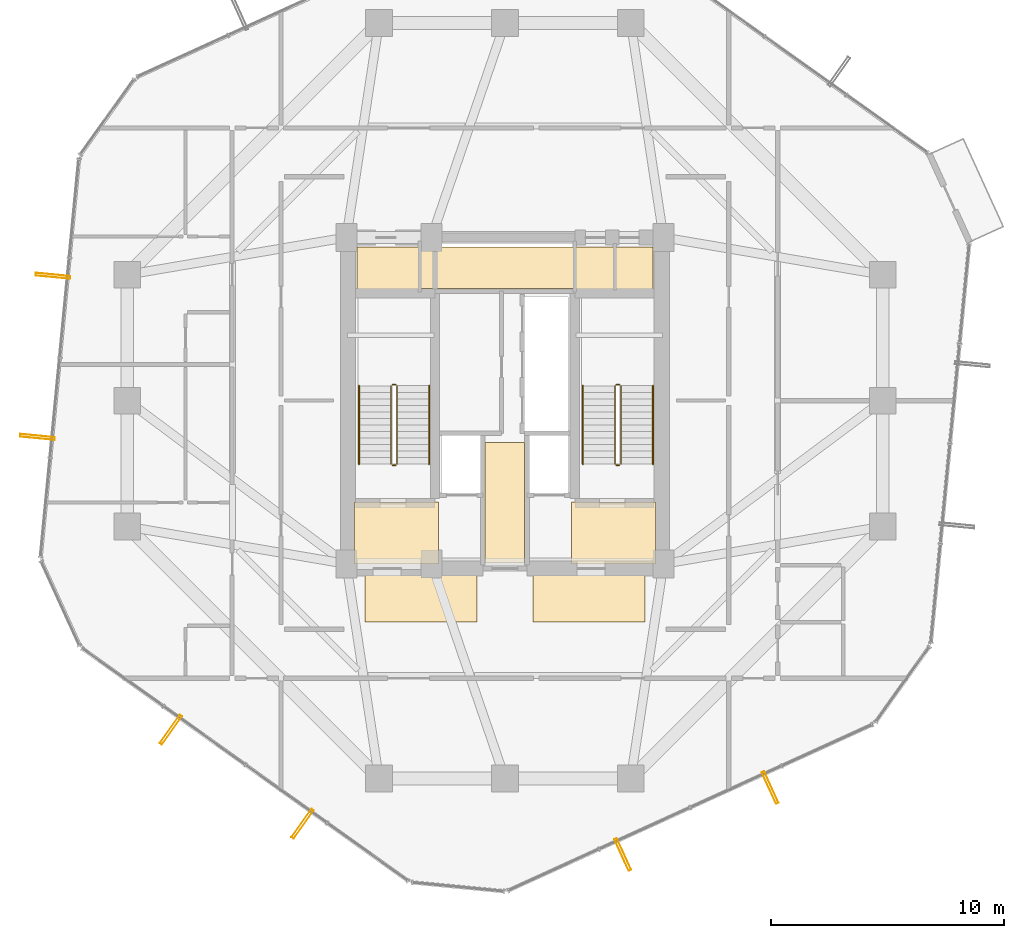
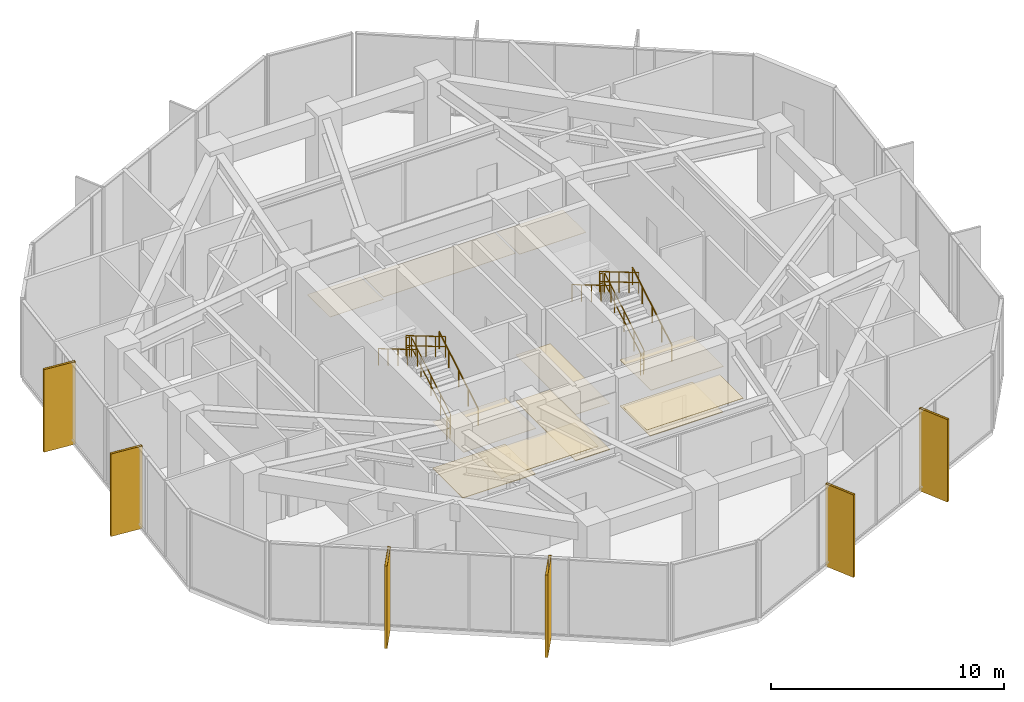
# One storey, part 24 of 25: 12 railings, 11 coverings, 6 shading devices.
"""IFC4 building model written with IfcOpenShell, lengths in metres."""

from ifc_helpers import new_model, si_unit, direction, frame, origin, origin_2d, place, context, subcontext, project, spatial, polyline, hollow_rectangle, circle, outline, extrude, material, layer, layer_set, material_profile, profile_set, type_object, element, save


model = new_model("IFC4")

# Units and contexts
model_context = context("Model", 3, precision=1e-05, world=origin(), true_north=direction((0.0, 1.0)))
body_context = subcontext(model_context, "Body", "Model", "MODEL_VIEW")
ifc_project = project(units=[si_unit("LENGTHUNIT", "METRE"), si_unit("AREAUNIT", "SQUARE_METRE"), si_unit("VOLUMEUNIT", "CUBIC_METRE"), si_unit("PLANEANGLEUNIT", "RADIAN"), si_unit("MASSUNIT", "GRAM", prefix="KILO")], contexts=[model_context])

# Site, building, storey
site_placement = place(None, origin())
site = spatial("IfcSite", under=ifc_project, at=site_placement, CompositionType="ELEMENT")
building_placement = place(site_placement, origin())
building = spatial("IfcBuilding", under=site, at=building_placement, Name="Veraguas Prism Commons", CompositionType="ELEMENT")
storey_placement = place(building_placement, frame((0.0, 0.0, 108.949951171875)))
storey = spatial("IfcBuildingStorey", under=building, at=storey_placement, Name="L30", CompositionType="ELEMENT", Elevation=108.949951171875)

# Shading devices
ifc_material_1 = material(Name="Anodised aluminium EN AW-6063 T6", Category="aluminium")
ifc_material_profile = material_profile(ifc_material_1, hollow_rectangle(XDim=0.1201171875, YDim=1.489990234375, WallThickness=0.006103515625, at=origin_2d()), Name="FIN120X1490X6")
ifc_profile_set = profile_set([ifc_material_profile], Name="Anodised aluminium EN AW-6063 T6")
shading_device_type = type_object("IfcShadingDeviceType", Name="Deep Pale-Metal Vertical Solar Fin 120x1490", PredefinedType="USERDEFINED", material=ifc_profile_set)
for number, where, z_axis, x_axis, name in (
    (1, (4.616455078125, 29.353515625, -0.260009765625), (0.0, 0.0, 1.0), (-0.095844015226, -0.995396365648, 0.0), "Vertical Pale-Metal Solar Fin L30-F3A"),
    (2, (3.951171875, 22.443603515625, -0.260009765625), (0.0, 0.0, 1.0), (-0.095844015226, -0.995396365648, 0.0), "Vertical Pale-Metal Solar Fin L30-F3B"),
    (3, (9.672119140625, 9.889892578125, -0.260009765625), (0.0, 0.0, 1.0), (0.814115518356, -0.580702955711, 0.0), "Vertical Pale-Metal Solar Fin L30-F4A"),
    (4, (15.323486328125, 5.85888671875, -0.260009765625), (0.0, 0.0, 1.0), (0.814115518356, -0.580702955711, 0.0), "Vertical Pale-Metal Solar Fin L30-F4B"),
    (5, (29.0556640625, 4.53662109375, -0.260009765625), (0.0, 0.0, 1.0), (0.909959823319, 0.414696419018, 0.0), "Vertical Pale-Metal Solar Fin L30-F5A"),
    (6, (35.372314453125, 7.415283203125, -0.260009765625), (0.0, 0.0, 1.0), (0.909959823319, 0.414696419018, 0.0), "Vertical Pale-Metal Solar Fin L30-F5B"),
):
    element("IfcShadingDevice", number, at=place(storey_placement, frame(where, z_axis=z_axis, x_axis=x_axis)), inside=storey, type_object=shading_device_type, Name=name, ObjectType="FIN", PredefinedType="USERDEFINED", context=body_context, shape_type="SweptSolid", body=[
        extrude(hollow_rectangle(XDim=0.1201171875, YDim=1.489990234375, WallThickness=0.006103515625, at=origin_2d()), origin(), (0.0, 0.0, 1.0), 4.330078125),
    ])

# Coverings
ifc_material_2 = material(Name="Acoustic gypsum board")
ifc_layer_1 = layer(ifc_material_2, 0.02490234375, Name="Perforated Acoustic Ceiling Tile 25")
ifc_layer_set_1 = layer_set([ifc_layer_1], Name="Acoustic gypsum board")
covering_type_1 = type_object("IfcCoveringType", Name="Perforated Acoustic Ceiling Tile 25", PredefinedType="USERDEFINED", material=ifc_layer_set_1)
covering_1_placement = place(storey_placement, frame((0.0, 0.0, 2.425048828125)))
element("IfcCovering", 7, at=covering_1_placement, inside=storey, type_object=covering_type_1, Name="East Lobby Acoustic Ceiling L30", ObjectType="ACOUSTIC CEILING", PredefinedType="USERDEFINED", context=body_context, shape_type="SweptSolid", body=[
    extrude(outline(polyline([(26.85009765625, 17.0), (30.449951171875, 17.0), (30.449951171875, 19.64990234375), (26.85009765625, 19.64990234375), (26.85009765625, 17.0)])), origin(), (0.0, 0.0, 1.0), 0.02490234375),
])
ifc_material_3 = material(Name="Terrazzo stone finish", Category="masonry")
ifc_layer_2 = layer(ifc_material_3, 0.030029296875, Name="Polished Terrazzo Floor Finish 30", Category="masonry")
ifc_layer_set_2 = layer_set([ifc_layer_2], Name="Terrazzo stone finish")
covering_type_2 = type_object("IfcCoveringType", Name="Polished Terrazzo Floor Finish 30", PredefinedType="FLOORING", material=ifc_layer_set_2)
covering_2_placement = place(storey_placement, origin())
element("IfcCovering", 8, at=covering_2_placement, inside=storey, type_object=covering_type_2, Name="Terrazzo Lobby Flooring L30", PredefinedType="FLOORING", context=body_context, shape_type="SweptSolid", body=[
    extrude(outline(polyline([(23.14990234375, 17.050048828125), (24.85009765625, 17.050048828125), (24.85009765625, 22.199951171875), (23.14990234375, 22.199951171875), (23.14990234375, 17.050048828125)])), origin(), (0.0, 0.0, 1.0), 0.030029296875),
])
covering_3_placement = place(storey_placement, origin())
element("IfcCovering", 9, at=covering_3_placement, inside=storey, type_object=covering_type_2, Name="West FF Lobby Terrazzo Flooring L30", PredefinedType="FLOORING", context=body_context, shape_type="SweptSolid", body=[
    extrude(outline(polyline([(17.550048828125, 17.050048828125), (21.14990234375, 17.050048828125), (21.14990234375, 19.64990234375), (17.550048828125, 19.64990234375), (17.550048828125, 17.050048828125)])), origin(), (0.0, 0.0, 1.0), 0.030029296875),
])
covering_4_placement = place(storey_placement, origin())
element("IfcCovering", 10, at=covering_4_placement, inside=storey, type_object=covering_type_2, Name="East FF Lobby Terrazzo Flooring L30", PredefinedType="FLOORING", context=body_context, shape_type="SweptSolid", body=[
    extrude(outline(polyline([(26.85009765625, 17.050048828125), (30.449951171875, 17.050048828125), (30.449951171875, 19.64990234375), (26.85009765625, 19.64990234375), (26.85009765625, 17.050048828125)])), origin(), (0.0, 0.0, 1.0), 0.030029296875),
])

# Railings
ifc_material_4 = material(Name="Stainless steel AISI 316", Category="steel")
railing_type_1 = type_object("IfcRailingType", Name="Stair and Ramp Stainless Handrail 900", PredefinedType="HANDRAIL", material=ifc_material_4)
railing_1_placement = place(storey_placement, frame((20.75, 21.280029296875, 0.16552734375)))
element("IfcRailing", 11, at=railing_1_placement, inside=storey, type_object=railing_type_1, Name="Stair Handrail ST-01 L30-1", PredefinedType="HANDRAIL", context=body_context, shape_type="SweptSolid", body=[
    extrude(circle(Radius=0.02392578125, at=origin_2d()), frame((0.0, 0.0, 0.8759765625), z_axis=(0.0, 0.861011212953, 0.508585972249), x_axis=(-1.0, 0.0, 0.0)), (0.0, 0.0, 1.0), 3.90234375),
    extrude(circle(Radius=0.02099609375, at=origin_2d()), origin(), (0.0, 0.0, 1.0), 0.851806640625),
    extrude(circle(Radius=0.02099609375, at=origin_2d()), frame((0.0, 0.83984375, 0.49609375)), (0.0, 0.0, 1.0), 0.851806640625),
    extrude(circle(Radius=0.02099609375, at=origin_2d()), frame((0.0, 1.679931640625, 0.9921875)), (0.0, 0.0, 1.0), 0.851806640625),
    extrude(circle(Radius=0.02099609375, at=origin_2d()), frame((0.0, 2.52001953125, 1.488525390625)), (0.0, 0.0, 1.0), 0.851806640625),
    extrude(circle(Radius=0.02099609375, at=origin_2d()), frame((0.0, 3.35986328125, 1.984619140625)), (0.0, 0.0, 1.0), 0.851806640625),
])
railing_2_placement = place(storey_placement, frame((17.739990234375, 24.639892578125, 2.3154296875)))
element("IfcRailing", 12, at=railing_2_placement, inside=storey, type_object=railing_type_1, Name="Stair Handrail ST-01 L30-2", PredefinedType="HANDRAIL", context=body_context, shape_type="SweptSolid", body=[
    extrude(circle(Radius=0.02392578125, at=origin_2d()), frame((0.0, 0.0, 0.8759765625), z_axis=(0.0, -0.861011212953, 0.508585972249), x_axis=(1.0, 0.0, 0.0)), (0.0, 0.0, 1.0), 3.90234375),
    extrude(circle(Radius=0.02099609375, at=origin_2d()), origin(), (0.0, 0.0, 1.0), 0.851806640625),
    extrude(circle(Radius=0.02099609375, at=origin_2d()), frame((0.0, -0.83984375, 0.49609375)), (0.0, 0.0, 1.0), 0.851806640625),
    extrude(circle(Radius=0.02099609375, at=origin_2d()), frame((0.0, -1.679931640625, 0.9921875)), (0.0, 0.0, 1.0), 0.851806640625),
    extrude(circle(Radius=0.02099609375, at=origin_2d()), frame((0.0, -2.52001953125, 1.488525390625)), (0.0, 0.0, 1.0), 0.851806640625),
    extrude(circle(Radius=0.02099609375, at=origin_2d()), frame((0.0, -3.35986328125, 1.984619140625)), (0.0, 0.0, 1.0), 0.851806640625),
])
railing_3_placement = place(storey_placement, frame((30.35009765625, 21.280029296875, 0.16552734375)))
element("IfcRailing", 13, at=railing_3_placement, inside=storey, type_object=railing_type_1, Name="Stair Handrail ST-02 L30-1", PredefinedType="HANDRAIL", context=body_context, shape_type="SweptSolid", body=[
    extrude(circle(Radius=0.02392578125, at=origin_2d()), frame((0.0, 0.0, 0.8759765625), z_axis=(0.0, 0.861011212953, 0.508585972249), x_axis=(-1.0, 0.0, 0.0)), (0.0, 0.0, 1.0), 3.90234375),
    extrude(circle(Radius=0.02099609375, at=origin_2d()), origin(), (0.0, 0.0, 1.0), 0.851806640625),
    extrude(circle(Radius=0.02099609375, at=origin_2d()), frame((0.0, 0.83984375, 0.49609375)), (0.0, 0.0, 1.0), 0.851806640625),
    extrude(circle(Radius=0.02099609375, at=origin_2d()), frame((0.0, 1.679931640625, 0.9921875)), (0.0, 0.0, 1.0), 0.851806640625),
    extrude(circle(Radius=0.02099609375, at=origin_2d()), frame((0.0, 2.52001953125, 1.488525390625)), (0.0, 0.0, 1.0), 0.851806640625),
    extrude(circle(Radius=0.02099609375, at=origin_2d()), frame((0.0, 3.35986328125, 1.984619140625)), (0.0, 0.0, 1.0), 0.851806640625),
])
railing_4_placement = place(storey_placement, frame((27.340087890625, 24.639892578125, 2.3154296875)))
element("IfcRailing", 14, at=railing_4_placement, inside=storey, type_object=railing_type_1, Name="Stair Handrail ST-02 L30-2", PredefinedType="HANDRAIL", context=body_context, shape_type="SweptSolid", body=[
    extrude(circle(Radius=0.02392578125, at=origin_2d()), frame((0.0, 0.0, 0.8759765625), z_axis=(0.0, -0.861011212953, 0.508585972249), x_axis=(1.0, 0.0, 0.0)), (0.0, 0.0, 1.0), 3.90234375),
    extrude(circle(Radius=0.02099609375, at=origin_2d()), origin(), (0.0, 0.0, 1.0), 0.851806640625),
    extrude(circle(Radius=0.02099609375, at=origin_2d()), frame((0.0, -0.83984375, 0.49609375)), (0.0, 0.0, 1.0), 0.851806640625),
    extrude(circle(Radius=0.02099609375, at=origin_2d()), frame((0.0, -1.679931640625, 0.9921875)), (0.0, 0.0, 1.0), 0.851806640625),
    extrude(circle(Radius=0.02099609375, at=origin_2d()), frame((0.0, -2.52001953125, 1.488525390625)), (0.0, 0.0, 1.0), 0.851806640625),
    extrude(circle(Radius=0.02099609375, at=origin_2d()), frame((0.0, -3.35986328125, 1.984619140625)), (0.0, 0.0, 1.0), 0.851806640625),
])
railing_type_2 = type_object("IfcRailingType", Name="Stairwell Safety Guardrail 1100", PredefinedType="GUARDRAIL", material=ifc_material_4)
railing_5_placement = place(storey_placement, frame((19.3701171875, 21.280029296875, 0.16552734375)))
element("IfcRailing", 15, at=railing_5_placement, inside=storey, type_object=railing_type_2, Name="Stair Guard ST-01 L30-1", PredefinedType="GUARDRAIL", context=body_context, shape_type="SweptSolid", body=[
    extrude(circle(Radius=0.02392578125, at=origin_2d()), frame((0.0, 0.0, 1.076171875), z_axis=(0.0, 0.861011212953, 0.508585972249), x_axis=(-1.0, 0.0, 0.0)), (0.0, 0.0, 1.0), 3.90234375),
    extrude(circle(Radius=0.02392578125, at=origin_2d()), frame((0.0, 0.0, 0.550048828125), z_axis=(0.0, 0.861011212953, 0.508585972249), x_axis=(-1.0, 0.0, 0.0)), (0.0, 0.0, 1.0), 3.90234375),
    extrude(circle(Radius=0.02099609375, at=origin_2d()), origin(), (0.0, 0.0, 1.0), 1.052001953125),
    extrude(circle(Radius=0.02099609375, at=origin_2d()), frame((0.0, 0.83984375, 0.49609375)), (0.0, 0.0, 1.0), 1.052001953125),
    extrude(circle(Radius=0.02099609375, at=origin_2d()), frame((0.0, 1.679931640625, 0.9921875)), (0.0, 0.0, 1.0), 1.052001953125),
    extrude(circle(Radius=0.02099609375, at=origin_2d()), frame((0.0, 2.52001953125, 1.488525390625)), (0.0, 0.0, 1.0), 1.052001953125),
    extrude(circle(Radius=0.02099609375, at=origin_2d()), frame((0.0, 3.35986328125, 1.984619140625)), (0.0, 0.0, 1.0), 1.052001953125),
])
railing_6_placement = place(storey_placement, frame((19.320068359375, 24.68994140625, 2.150146484375)))
element("IfcRailing", 16, at=railing_6_placement, inside=storey, type_object=railing_type_2, Name="Stair Guard ST-01 L30-2", PredefinedType="GUARDRAIL", context=body_context, shape_type="SweptSolid", body=[
    extrude(circle(Radius=0.02392578125, at=origin_2d()), frame((0.0, 0.0, 1.076171875), z_axis=(-1.0, 0.0, 0.0), x_axis=(0.0, -1.0, 0.0)), (0.0, 0.0, 1.0), 0.150146484375),
    extrude(circle(Radius=0.02392578125, at=origin_2d()), frame((0.0, 0.0, 0.550048828125), z_axis=(-1.0, 0.0, 0.0), x_axis=(0.0, -1.0, 0.0)), (0.0, 0.0, 1.0), 0.150146484375),
    extrude(circle(Radius=0.02099609375, at=origin_2d()), origin(), (0.0, 0.0, 1.0), 1.052001953125),
    extrude(circle(Radius=0.02099609375, at=origin_2d()), frame((-0.150146484375, 0.0, 0.0)), (0.0, 0.0, 1.0), 1.052001953125),
])
railing_7_placement = place(storey_placement, frame((19.1201171875, 24.639892578125, 2.3154296875)))
element("IfcRailing", 17, at=railing_7_placement, inside=storey, type_object=railing_type_2, Name="Stair Guard ST-01 L30-3", PredefinedType="GUARDRAIL", context=body_context, shape_type="SweptSolid", body=[
    extrude(circle(Radius=0.02392578125, at=origin_2d()), frame((0.0, 0.0, 1.076171875), z_axis=(0.0, -0.861011212953, 0.508585972249), x_axis=(1.0, 0.0, 0.0)), (0.0, 0.0, 1.0), 3.90234375),
    extrude(circle(Radius=0.02392578125, at=origin_2d()), frame((0.0, 0.0, 0.550048828125), z_axis=(0.0, -0.861011212953, 0.508585972249), x_axis=(1.0, 0.0, 0.0)), (0.0, 0.0, 1.0), 3.90234375),
    extrude(circle(Radius=0.02099609375, at=origin_2d()), origin(), (0.0, 0.0, 1.0), 1.052001953125),
    extrude(circle(Radius=0.02099609375, at=origin_2d()), frame((0.0, -0.83984375, 0.49609375)), (0.0, 0.0, 1.0), 1.052001953125),
    extrude(circle(Radius=0.02099609375, at=origin_2d()), frame((0.0, -1.679931640625, 0.9921875)), (0.0, 0.0, 1.0), 1.052001953125),
    extrude(circle(Radius=0.02099609375, at=origin_2d()), frame((0.0, -2.52001953125, 1.488525390625)), (0.0, 0.0, 1.0), 1.052001953125),
    extrude(circle(Radius=0.02099609375, at=origin_2d()), frame((0.0, -3.35986328125, 1.984619140625)), (0.0, 0.0, 1.0), 1.052001953125),
])
railing_8_placement = place(storey_placement, frame((19.320068359375, 21.22998046875, 0.0)))
element("IfcRailing", 18, at=railing_8_placement, inside=storey, type_object=railing_type_2, Name="Stair Guard ST-01 L30-4", PredefinedType="GUARDRAIL", context=body_context, shape_type="SweptSolid", body=[
    extrude(circle(Radius=0.02392578125, at=origin_2d()), frame((0.0, 0.0, 1.076171875), z_axis=(-1.0, 0.0, 0.0), x_axis=(0.0, -1.0, 0.0)), (0.0, 0.0, 1.0), 0.150146484375),
    extrude(circle(Radius=0.02392578125, at=origin_2d()), frame((0.0, 0.0, 0.550048828125), z_axis=(-1.0, 0.0, 0.0), x_axis=(0.0, -1.0, 0.0)), (0.0, 0.0, 1.0), 0.150146484375),
    extrude(circle(Radius=0.02099609375, at=origin_2d()), origin(), (0.0, 0.0, 1.0), 1.052001953125),
    extrude(circle(Radius=0.02099609375, at=origin_2d()), frame((-0.150146484375, 0.0, 0.0)), (0.0, 0.0, 1.0), 1.052001953125),
])
railing_9_placement = place(storey_placement, frame((28.969970703125, 21.280029296875, 0.16552734375)))
element("IfcRailing", 19, at=railing_9_placement, inside=storey, type_object=railing_type_2, Name="Stair Guard ST-02 L30-1", PredefinedType="GUARDRAIL", context=body_context, shape_type="SweptSolid", body=[
    extrude(circle(Radius=0.02392578125, at=origin_2d()), frame((0.0, 0.0, 1.076171875), z_axis=(0.0, 0.861011212953, 0.508585972249), x_axis=(-1.0, 0.0, 0.0)), (0.0, 0.0, 1.0), 3.90234375),
    extrude(circle(Radius=0.02392578125, at=origin_2d()), frame((0.0, 0.0, 0.550048828125), z_axis=(0.0, 0.861011212953, 0.508585972249), x_axis=(-1.0, 0.0, 0.0)), (0.0, 0.0, 1.0), 3.90234375),
    extrude(circle(Radius=0.02099609375, at=origin_2d()), origin(), (0.0, 0.0, 1.0), 1.052001953125),
    extrude(circle(Radius=0.02099609375, at=origin_2d()), frame((0.0, 0.83984375, 0.49609375)), (0.0, 0.0, 1.0), 1.052001953125),
    extrude(circle(Radius=0.02099609375, at=origin_2d()), frame((0.0, 1.679931640625, 0.9921875)), (0.0, 0.0, 1.0), 1.052001953125),
    extrude(circle(Radius=0.02099609375, at=origin_2d()), frame((0.0, 2.52001953125, 1.488525390625)), (0.0, 0.0, 1.0), 1.052001953125),
    extrude(circle(Radius=0.02099609375, at=origin_2d()), frame((0.0, 3.35986328125, 1.984619140625)), (0.0, 0.0, 1.0), 1.052001953125),
])
railing_10_placement = place(storey_placement, frame((28.919921875, 24.68994140625, 2.150146484375)))
element("IfcRailing", 20, at=railing_10_placement, inside=storey, type_object=railing_type_2, Name="Stair Guard ST-02 L30-2", PredefinedType="GUARDRAIL", context=body_context, shape_type="SweptSolid", body=[
    extrude(circle(Radius=0.02392578125, at=origin_2d()), frame((0.0, 0.0, 1.076171875), z_axis=(-1.0, 0.0, 0.0), x_axis=(0.0, -1.0, 0.0)), (0.0, 0.0, 1.0), 0.14990234375),
    extrude(circle(Radius=0.02392578125, at=origin_2d()), frame((0.0, 0.0, 0.550048828125), z_axis=(-1.0, 0.0, 0.0), x_axis=(0.0, -1.0, 0.0)), (0.0, 0.0, 1.0), 0.14990234375),
    extrude(circle(Radius=0.02099609375, at=origin_2d()), origin(), (0.0, 0.0, 1.0), 1.052001953125),
    extrude(circle(Radius=0.02099609375, at=origin_2d()), frame((-0.14990234375, 0.0, 0.0)), (0.0, 0.0, 1.0), 1.052001953125),
])
railing_11_placement = place(storey_placement, frame((28.719970703125, 24.639892578125, 2.3154296875)))
element("IfcRailing", 21, at=railing_11_placement, inside=storey, type_object=railing_type_2, Name="Stair Guard ST-02 L30-3", PredefinedType="GUARDRAIL", context=body_context, shape_type="SweptSolid", body=[
    extrude(circle(Radius=0.02392578125, at=origin_2d()), frame((0.0, 0.0, 1.076171875), z_axis=(0.0, -0.861011212953, 0.508585972249), x_axis=(1.0, 0.0, 0.0)), (0.0, 0.0, 1.0), 3.90234375),
    extrude(circle(Radius=0.02392578125, at=origin_2d()), frame((0.0, 0.0, 0.550048828125), z_axis=(0.0, -0.861011212953, 0.508585972249), x_axis=(1.0, 0.0, 0.0)), (0.0, 0.0, 1.0), 3.90234375),
    extrude(circle(Radius=0.02099609375, at=origin_2d()), origin(), (0.0, 0.0, 1.0), 1.052001953125),
    extrude(circle(Radius=0.02099609375, at=origin_2d()), frame((0.0, -0.83984375, 0.49609375)), (0.0, 0.0, 1.0), 1.052001953125),
    extrude(circle(Radius=0.02099609375, at=origin_2d()), frame((0.0, -1.679931640625, 0.9921875)), (0.0, 0.0, 1.0), 1.052001953125),
    extrude(circle(Radius=0.02099609375, at=origin_2d()), frame((0.0, -2.52001953125, 1.488525390625)), (0.0, 0.0, 1.0), 1.052001953125),
    extrude(circle(Radius=0.02099609375, at=origin_2d()), frame((0.0, -3.35986328125, 1.984619140625)), (0.0, 0.0, 1.0), 1.052001953125),
])
railing_12_placement = place(storey_placement, frame((28.919921875, 21.22998046875, 0.0)))
element("IfcRailing", 22, at=railing_12_placement, inside=storey, type_object=railing_type_2, Name="Stair Guard ST-02 L30-4", PredefinedType="GUARDRAIL", context=body_context, shape_type="SweptSolid", body=[
    extrude(circle(Radius=0.02392578125, at=origin_2d()), frame((0.0, 0.0, 1.076171875), z_axis=(-1.0, 0.0, 0.0), x_axis=(0.0, -1.0, 0.0)), (0.0, 0.0, 1.0), 0.14990234375),
    extrude(circle(Radius=0.02392578125, at=origin_2d()), frame((0.0, 0.0, 0.550048828125), z_axis=(-1.0, 0.0, 0.0), x_axis=(0.0, -1.0, 0.0)), (0.0, 0.0, 1.0), 0.14990234375),
    extrude(circle(Radius=0.02099609375, at=origin_2d()), origin(), (0.0, 0.0, 1.0), 1.052001953125),
    extrude(circle(Radius=0.02099609375, at=origin_2d()), frame((-0.14990234375, 0.0, 0.0)), (0.0, 0.0, 1.0), 1.052001953125),
])

# Coverings
ifc_layer_3 = layer(ifc_material_2, 0.02001953125, Name="Suspended Gypsum Ceiling 20")
ifc_layer_set_3 = layer_set([ifc_layer_3], Name="Acoustic gypsum board")
covering_type_3 = type_object("IfcCoveringType", Name="Suspended Gypsum Ceiling 20", PredefinedType="CEILING", material=ifc_layer_set_3)
covering_5_placement = place(storey_placement, frame((0.0, 0.0, 2.429931640625)))
element("IfcCovering", 23, at=covering_5_placement, inside=storey, type_object=covering_type_3, Name="West Lobby Suspended Gypsum Ceiling L30", PredefinedType="CEILING", context=body_context, shape_type="SweptSolid", body=[
    extrude(outline(polyline([(17.550048828125, 17.0), (21.14990234375, 17.0), (21.14990234375, 19.64990234375), (17.550048828125, 19.64990234375), (17.550048828125, 17.0)])), origin(), (0.0, 0.0, 1.0), 0.02001953125),
])
covering_6_placement = place(storey_placement, frame((0.0, 0.0, 2.429931640625)))
element("IfcCovering", 24, at=covering_6_placement, inside=storey, type_object=covering_type_3, Name="Core Lobby Acoustic Ceiling L30-1", PredefinedType="CEILING", context=body_context, shape_type="SweptSolid", body=[
    extrude(outline(polyline([(18.0, 14.5), (22.800048828125, 14.5), (22.800048828125, 16.550048828125), (18.0, 16.550048828125), (18.0, 14.5)])), origin(), (0.0, 0.0, 1.0), 0.02001953125),
])
covering_7_placement = place(storey_placement, frame((0.0, 0.0, 2.429931640625)))
element("IfcCovering", 25, at=covering_7_placement, inside=storey, type_object=covering_type_3, Name="Core Lobby Acoustic Ceiling L30-2", PredefinedType="CEILING", context=body_context, shape_type="SweptSolid", body=[
    extrude(outline(polyline([(25.199951171875, 14.5), (30.0, 14.5), (30.0, 16.550048828125), (25.199951171875, 16.550048828125), (25.199951171875, 14.5)])), origin(), (0.0, 0.0, 1.0), 0.02001953125),
])
covering_8_placement = place(storey_placement, frame((0.0, 0.0, 2.429931640625)))
element("IfcCovering", 26, at=covering_8_placement, inside=storey, type_object=covering_type_3, Name="Core Lobby Acoustic Ceiling L30-3", PredefinedType="CEILING", context=body_context, shape_type="SweptSolid", body=[
    extrude(outline(polyline([(23.14990234375, 17.050048828125), (24.85009765625, 17.050048828125), (24.85009765625, 22.199951171875), (23.14990234375, 22.199951171875), (23.14990234375, 17.050048828125)])), origin(), (0.0, 0.0, 1.0), 0.02001953125),
])
covering_9_placement = place(storey_placement, frame((0.0, 0.0, 2.429931640625)))
element("IfcCovering", 27, at=covering_9_placement, inside=storey, type_object=covering_type_3, Name="Core Lobby Acoustic Ceiling L30-4", PredefinedType="CEILING", context=body_context, shape_type="SweptSolid", body=[
    extrude(outline(polyline([(17.64990234375, 28.64990234375), (20.300048828125, 28.64990234375), (20.300048828125, 30.60009765625), (17.64990234375, 30.60009765625), (17.64990234375, 28.64990234375)])), origin(), (0.0, 0.0, 1.0), 0.02001953125),
])
covering_10_placement = place(storey_placement, frame((0.0, 0.0, 2.429931640625)))
element("IfcCovering", 28, at=covering_10_placement, inside=storey, type_object=covering_type_3, Name="Core Lobby Acoustic Ceiling L30-5", PredefinedType="CEILING", context=body_context, shape_type="SweptSolid", body=[
    extrude(outline(polyline([(27.050048828125, 28.64990234375), (30.35009765625, 28.64990234375), (30.35009765625, 30.60009765625), (27.050048828125, 30.60009765625), (27.050048828125, 28.64990234375)])), origin(), (0.0, 0.0, 1.0), 0.02001953125),
])
covering_11_placement = place(storey_placement, frame((0.0, 0.0, 2.429931640625)))
element("IfcCovering", 29, at=covering_11_placement, inside=storey, type_object=covering_type_3, Name="Core Lobby Acoustic Ceiling L30-6", PredefinedType="CEILING", context=body_context, shape_type="SweptSolid", body=[
    extrude(outline(polyline([(20.39990234375, 28.800048828125), (26.949951171875, 28.800048828125), (26.949951171875, 30.60009765625), (20.39990234375, 30.60009765625), (20.39990234375, 28.800048828125)])), origin(), (0.0, 0.0, 1.0), 0.02001953125),
])

save(model, "model.ifc")
